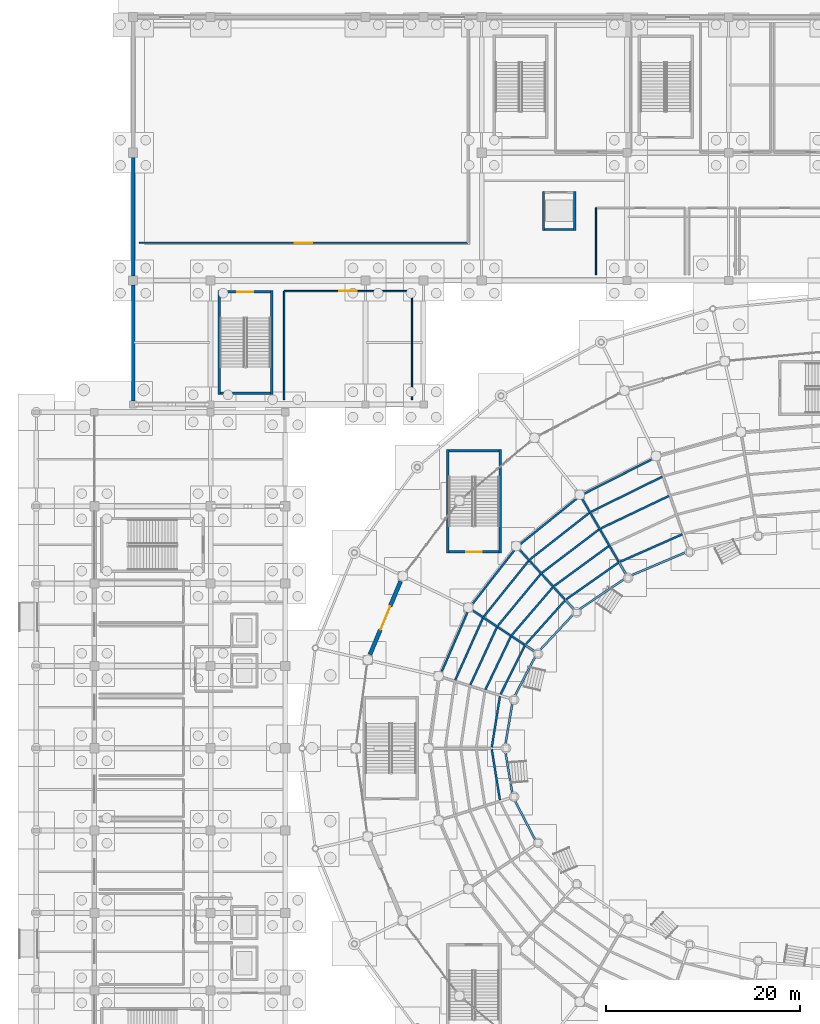
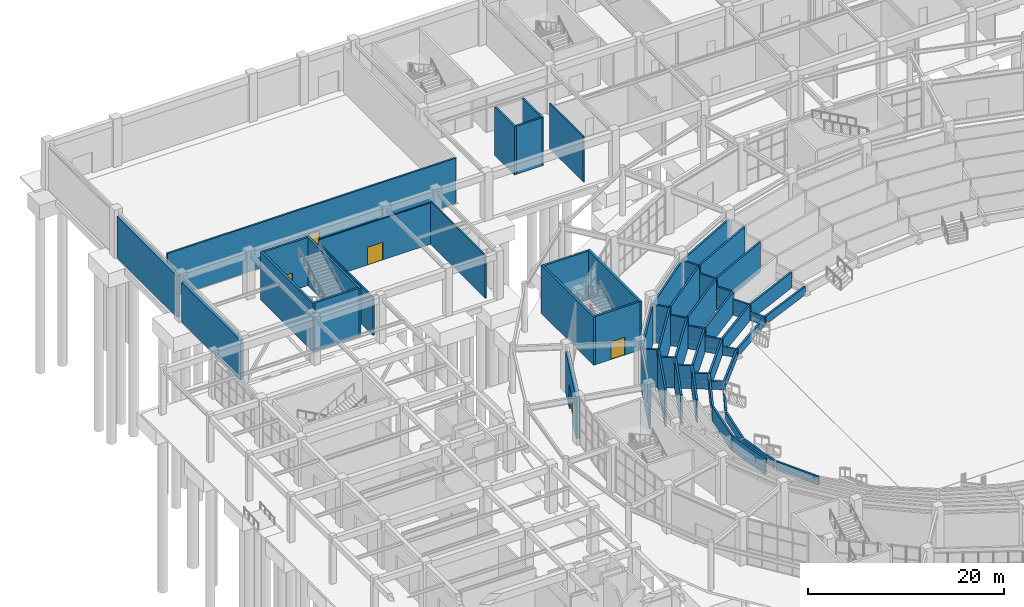
# One storey, part 87 of 121: 50 walls, 5 doors, 5 openings.
"""IFC4 building model written with IfcOpenShell, lengths in metres."""

from ifc_helpers import new_model, si_unit, direction, frame, frame_2d, origin, place, context, subcontext, project, spatial, polyline, rectangle, outline, extrude, material, layer, layer_set, type_object, element, fill, save


model = new_model("IFC4")

# Units and contexts
model_context = context("Model", 3, precision=1e-05, world=origin(), true_north=direction((0.0, 1.0)))
body_context = subcontext(model_context, "Body", "Model", "MODEL_VIEW")
ifc_project = project(units=[si_unit("LENGTHUNIT", "METRE"), si_unit("AREAUNIT", "SQUARE_METRE"), si_unit("VOLUMEUNIT", "CUBIC_METRE"), si_unit("PLANEANGLEUNIT", "RADIAN"), si_unit("MASSUNIT", "GRAM", prefix="KILO")], contexts=[model_context])

# Site, building, storey
site_placement = place(None, origin())
site = spatial("IfcSite", under=ifc_project, at=site_placement, CompositionType="ELEMENT")
building_placement = place(site_placement, origin())
building = spatial("IfcBuilding", under=site, at=building_placement, Name="Cuetzalor Civic Arena", CompositionType="ELEMENT")
storey_placement = place(building_placement, origin())
storey = spatial("IfcBuildingStorey", under=building, at=storey_placement, Name="L00", CompositionType="ELEMENT", Elevation=0.0)

# Wall, opening, door
ifc_material_1 = material(Name="Acoustic steel-stud gypsum partition", Category="steel")
ifc_layer_1 = layer(ifc_material_1, 0.14990234375)
ifc_layer_set_1 = layer_set([ifc_layer_1], Name="Acoustic steel-stud gypsum partition")
wall_type_1 = type_object("IfcWallType", Name="AcousticGypsumPartition_150", PredefinedType="PARTITIONING", material=ifc_layer_set_1)
wall_1_placement = place(storey_placement, frame((-56.39990234375, 47.199951171875, 0.0), z_axis=(0.0, 0.0, 1.0), x_axis=(1.0, 0.0, 0.0)))
wall_1 = element("IfcWall", 1, at=wall_1_placement, inside=storey, type_object=wall_type_1, Name="Interior Partition IWALL:L00:0131", PredefinedType="PARTITIONING", context=body_context, shape_type="SweptSolid", body=[
    extrude(rectangle(XDim=13.199951171875, YDim=0.14990234375, at=frame_2d((6.60009765625, 0.0))), origin(), (0.0, 0.0, 1.0), 5.14208984375),
])
opening_1_placement = place(wall_1_placement, frame((5.699951171875, 0.0, 0.0)))
opening_1 = element("IfcOpeningElement", 2, at=opening_1_placement, cuts=wall_1, Name="Opening ID-06", PredefinedType="OPENING", context=body_context, shape_type="SweptSolid", body=[
    extrude(rectangle(XDim=1.800048828125, YDim=2.199951171875, at=frame_2d((0.89990234375, 1.10009765625))), frame((0.0, 0.0849609375, 0.0), z_axis=(0.0, -1.0, 0.0), x_axis=(1.0, 0.0, 0.0)), (0.0, 0.0, 1.0), 0.169921875),
])
ifc_material_2 = material(Name="Glazed bronze acoustic double door", Category="metal")
door_type_1 = type_object("IfcDoorType", Name="PublicDoubleDoor_1800x2200", OperationType="DOUBLE_DOOR_SINGLE_SWING", PredefinedType="DOOR", material=ifc_material_2)
door_1_placement = place(opening_1_placement, origin())
door_1 = element("IfcDoor", 3, at=door_1_placement, inside=storey, type_object=door_type_1, Name="Door to Warm-Up Conditioning Hall", OperationType="DOUBLE_DOOR_SINGLE_SWING", OverallHeight=2.199951171875, OverallWidth=1.800048828125, PredefinedType="DOOR", context=body_context, shape_type="SweptSolid", body=[
    extrude(rectangle(XDim=1.800048828125, YDim=2.199951171875, at=frame_2d((0.89990234375, 1.10009765625))), frame((0.0, 0.02490234375, 0.0), z_axis=(0.0, -1.0, 0.0), x_axis=(1.0, 0.0, 0.0)), (0.0, 0.0, 1.0), 0.050048828125),
])
fill(opening_1, door_1)

# Walls
wall_2_placement = place(storey_placement, frame((-43.199951171875, 47.199951171875, 0.0), z_axis=(0.0, 0.0, 1.0), x_axis=(0.0, -1.0, 0.0)))
element("IfcWall", 4, at=wall_2_placement, inside=storey, type_object=wall_type_1, Name="Interior Partition IWALL:L00:0132", PredefinedType="PARTITIONING", context=body_context, shape_type="SweptSolid", body=[
    extrude(rectangle(XDim=11.199951171875, YDim=0.14990234375, at=frame_2d((5.60009765625, 0.0))), origin(), (0.0, 0.0, 1.0), 5.320068359375),
])
wall_3_placement = place(storey_placement, frame((-56.39990234375, 36.0, 0.0), z_axis=(0.0, 0.0, 1.0), x_axis=(0.0, 1.0, 0.0)))
element("IfcWall", 5, at=wall_3_placement, inside=storey, type_object=wall_type_1, Name="Interior Partition IWALL:L00:0133", PredefinedType="PARTITIONING", context=body_context, shape_type="SweptSolid", body=[
    extrude(rectangle(XDim=11.199951171875, YDim=0.14990234375, at=frame_2d((5.60009765625, 0.0))), origin(), (0.0, 0.0, 1.0), 4.72509765625),
])
wall_4_placement = place(storey_placement, frame((-24.199951171875, 48.89990234375, 0.0), z_axis=(0.0, 0.0, 1.0), x_axis=(0.0, 1.0, 0.0)))
element("IfcWall", 6, at=wall_4_placement, inside=storey, type_object=wall_type_1, Name="Interior Partition IWALL:L00:0154", PredefinedType="PARTITIONING", context=body_context, shape_type="SweptSolid", body=[
    extrude(rectangle(XDim=6.900146484375, YDim=0.14990234375, at=frame_2d((3.4501953125, 0.0))), origin(), (0.0, 0.0, 1.0), 5.639892578125),
])
ifc_material_3 = material(Name="Dark volcanic basalt ashlar on Concrete C35/45", Category="masonry")
ifc_layer_2 = layer(ifc_material_3, 0.35009765625)
ifc_layer_set_2 = layer_set([ifc_layer_2], Name="Dark volcanic basalt ashlar on Concrete C35/45")
wall_type_2 = type_object("IfcWallType", Name="BasaltAshlarWall_350", PredefinedType="SOLIDWALL", material=ifc_layer_set_2)
wall_5_placement = place(storey_placement, frame((-72.0, 35.85693359375, 0.0), z_axis=(0.0, 0.0, 1.0), x_axis=(0.0, 1.0, 0.0)))
element("IfcWall", 7, at=wall_5_placement, inside=storey, type_object=wall_type_2, Name="North Wing West Basalt Wall L00-233", PredefinedType="SOLIDWALL", context=body_context, shape_type="SweptSolid", body=[
    extrude(rectangle(XDim=11.986083984375, YDim=0.35009765625, at=frame_2d((5.9931640625, 0.0))), origin(), (0.0, 0.0, 1.0), 4.93994140625),
])
wall_6_placement = place(storey_placement, frame((-72.0, 48.757080078125, 0.0), z_axis=(0.0, 0.0, 1.0), x_axis=(0.0, 1.0, 0.0)))
element("IfcWall", 8, at=wall_6_placement, inside=storey, type_object=wall_type_2, Name="North Wing West Basalt Wall L00-235", PredefinedType="SOLIDWALL", context=body_context, shape_type="SweptSolid", body=[
    extrude(rectangle(XDim=12.285888671875, YDim=0.35009765625, at=frame_2d((6.14306640625, 0.0))), origin(), (0.0, 0.0, 1.0), 5.156982421875),
])

# Wall, opening, door
ifc_material_4 = material(Name="Puebla cantera gris stone on Concrete C35/45", Category="masonry")
ifc_layer_3 = layer(ifc_material_4, 0.419921875)
ifc_layer_set_3 = layer_set([ifc_layer_3], Name="Puebla cantera gris stone on Concrete C35/45")
wall_type_3 = type_object("IfcWallType", Name="CanteraStoneArcadeWall_420", PredefinedType="SOLIDWALL", material=ifc_layer_set_3)
wall_7_placement = place(storey_placement, frame((-47.538818359375, 9.68017578125, 0.0), z_axis=(0.0, 0.0, 1.0), x_axis=(0.385830591871, 0.92256964744, 0.0)))
wall_7 = element("IfcWall", 9, at=wall_7_placement, inside=storey, type_object=wall_type_3, Name="Drum Ground Colonnade Portal Wall L00-004", PredefinedType="SOLIDWALL", context=body_context, shape_type="SweptSolid", body=[
    extrude(rectangle(XDim=8.18603515625, YDim=0.419921875, at=frame_2d((4.093017578125, 0.0))), origin(), (0.0, 0.0, 1.0), 5.156982421875),
])
opening_2_placement = place(wall_7_placement, frame((2.79296875, 0.0, 0.0)))
opening_2 = element("IfcOpeningElement", 10, at=opening_2_placement, cuts=wall_7, Name="Opening ED-02", PredefinedType="OPENING", context=body_context, shape_type="SweptSolid", body=[
    extrude(rectangle(XDim=2.60009765625, YDim=3.0, at=frame_2d((1.300048828125, 1.5))), frame((0.0, 0.219970703125, 0.0), z_axis=(0.0, -1.0, 0.0), x_axis=(1.0, 0.0, 0.0)), (0.0, 0.0, 1.0), 0.43994140625),
])
ifc_material_5 = material(Name="Thermally broken bronze steel and laminated glass", Category="steel")
door_type_2 = type_object("IfcDoorType", Name="MainColonnadeEntrance_2600x3000", OperationType="DOUBLE_DOOR_SINGLE_SWING", PredefinedType="DOOR", material=ifc_material_5)
door_2_placement = place(opening_2_placement, origin())
door_2 = element("IfcDoor", 11, at=door_2_placement, inside=storey, type_object=door_type_2, Name="Pedestrian exit gate G04", OperationType="DOUBLE_DOOR_SINGLE_SWING", OverallHeight=3.0, OverallWidth=2.60009765625, PredefinedType="DOOR", context=body_context, shape_type="SweptSolid", body=[
    extrude(rectangle(XDim=2.60009765625, YDim=3.0, at=frame_2d((1.300048828125, 1.5))), frame((0.0, 0.02490234375, 0.0), z_axis=(0.0, -1.0, 0.0), x_axis=(1.0, 0.0, 0.0)), (0.0, 0.0, 1.0), 0.050048828125),
])
fill(opening_2, door_2)

# Walls
ifc_material_6 = material(Name="Concrete C40/50", Category="concrete")
ifc_layer_4 = layer(ifc_material_6, 0.25)
ifc_layer_set_4 = layer_set([ifc_layer_4], Name="Concrete C40/50")
wall_type_4 = type_object("IfcWallType", Name="ConcreteCoreShearWall_250", PredefinedType="SHEAR", material=ifc_layer_set_4)
wall_8_placement = place(storey_placement, frame((-39.52490234375, 20.14990234375, 0.0), z_axis=(0.0, 0.0, 1.0), x_axis=(0.0, 1.0, 0.0)))
element("IfcWall", 12, at=wall_8_placement, inside=storey, type_object=wall_type_4, Name="Stair Core Shear Wall ST-04-L00-W", PredefinedType="SHEAR", context=body_context, shape_type="SweptSolid", body=[
    extrude(rectangle(XDim=10.7001953125, YDim=0.25, at=frame_2d((5.35009765625, 0.0))), origin(), (0.0, 0.0, 1.0), 6.0),
])
wall_9_placement = place(storey_placement, frame((-39.39990234375, 30.72509765625, 0.0), z_axis=(0.0, 0.0, 1.0), x_axis=(1.0, 0.0, 0.0)))
element("IfcWall", 13, at=wall_9_placement, inside=storey, type_object=wall_type_4, Name="Stair Core Shear Wall ST-04-L00-N", PredefinedType="SHEAR", context=body_context, shape_type="SweptSolid", body=[
    extrude(rectangle(XDim=5.199951171875, YDim=0.25, at=frame_2d((2.60009765625, 0.0))), origin(), (0.0, 0.0, 1.0), 6.0),
])
wall_10_placement = place(storey_placement, frame((-34.074951171875, 30.85009765625, 0.0), z_axis=(0.0, 0.0, 1.0), x_axis=(0.0, -1.0, 0.0)))
element("IfcWall", 14, at=wall_10_placement, inside=storey, type_object=wall_type_4, Name="Stair Core Shear Wall ST-04-L00-E", PredefinedType="SHEAR", context=body_context, shape_type="SweptSolid", body=[
    extrude(rectangle(XDim=10.7001953125, YDim=0.25, at=frame_2d((5.35009765625, 0.0))), origin(), (0.0, 0.0, 1.0), 6.0),
])

# Wall, opening, door
wall_11_placement = place(storey_placement, frame((-34.199951171875, 20.27490234375, 0.0), z_axis=(0.0, 0.0, 1.0), x_axis=(-1.0, 0.0, 0.0)))
wall_11 = element("IfcWall", 15, at=wall_11_placement, inside=storey, type_object=wall_type_4, Name="Stair Core Shear Wall ST-04-L00-S", PredefinedType="SHEAR", context=body_context, shape_type="SweptSolid", body=[
    extrude(rectangle(XDim=5.199951171875, YDim=0.25, at=frame_2d((2.60009765625, 0.0))), origin(), (0.0, 0.0, 1.0), 6.0),
])
opening_3_placement = place(wall_11_placement, frame((1.77490234375, 0.0, 0.0)))
opening_3 = element("IfcOpeningElement", 16, at=opening_3_placement, cuts=wall_11, Name="Opening FD-04", PredefinedType="OPENING", context=body_context, shape_type="SweptSolid", body=[
    extrude(rectangle(XDim=1.64990234375, YDim=2.199951171875, at=frame_2d((0.824951171875, 1.10009765625))), frame((0.0, 0.135009765625, 0.0), z_axis=(0.0, -1.0, 0.0), x_axis=(1.0, 0.0, 0.0)), (0.0, 0.0, 1.0), 0.27001953125),
])
ifc_material_7 = material(Name="Fire-rated steel stair exit double door", Category="steel")
door_type_3 = type_object("IfcDoorType", Name="StairFireDoubleDoor_1650x2200", OperationType="DOUBLE_DOOR_SINGLE_SWING", PredefinedType="DOOR", material=ifc_material_7)
door_3_placement = place(opening_3_placement, origin())
door_3 = element("IfcDoor", 17, at=door_3_placement, inside=storey, type_object=door_type_3, Name="Fire Stair Door ST-04 L00", OperationType="DOUBLE_DOOR_SINGLE_SWING", OverallHeight=2.199951171875, OverallWidth=1.64990234375, PredefinedType="DOOR", context=body_context, shape_type="SweptSolid", body=[
    extrude(rectangle(XDim=1.64990234375, YDim=2.199951171875, at=frame_2d((0.824951171875, 1.10009765625))), frame((0.0, 0.02490234375, 0.0), z_axis=(0.0, -1.0, 0.0), x_axis=(1.0, 0.0, 0.0)), (0.0, 0.0, 1.0), 0.050048828125),
])
fill(opening_3, door_3)

# Wall
wall_12_placement = place(storey_placement, frame((-63.125, 36.550048828125, 0.0), z_axis=(0.0, 0.0, 1.0), x_axis=(0.0, 1.0, 0.0)))
element("IfcWall", 18, at=wall_12_placement, inside=storey, type_object=wall_type_4, Name="Stair Core Shear Wall ST-23-L00-W", PredefinedType="SHEAR", context=body_context, shape_type="SweptSolid", body=[
    extrude(rectangle(XDim=10.699951171875, YDim=0.25, at=frame_2d((5.35009765625, 0.0))), origin(), (0.0, 0.0, 1.0), 6.0),
])

# Wall, opening, door
wall_13_placement = place(storey_placement, frame((-63.0, 47.125, 0.0), z_axis=(0.0, 0.0, 1.0), x_axis=(1.0, 0.0, 0.0)))
wall_13 = element("IfcWall", 19, at=wall_13_placement, inside=storey, type_object=wall_type_4, Name="Stair Core Shear Wall ST-23-L00-N", PredefinedType="SHEAR", context=body_context, shape_type="SweptSolid", body=[
    extrude(rectangle(XDim=5.199951171875, YDim=0.25, at=frame_2d((2.60009765625, 0.0))), origin(), (0.0, 0.0, 1.0), 6.0),
])
opening_4_placement = place(wall_13_placement, frame((1.77490234375, 0.0, 0.0)))
opening_4 = element("IfcOpeningElement", 20, at=opening_4_placement, cuts=wall_13, Name="Opening FD-04", PredefinedType="OPENING", context=body_context, shape_type="SweptSolid", body=[
    extrude(rectangle(XDim=1.64990234375, YDim=2.199951171875, at=frame_2d((0.824951171875, 1.10009765625))), frame((0.0, 0.135009765625, 0.0), z_axis=(0.0, -1.0, 0.0), x_axis=(1.0, 0.0, 0.0)), (0.0, 0.0, 1.0), 0.27001953125),
])
door_4_placement = place(opening_4_placement, origin())
door_4 = element("IfcDoor", 21, at=door_4_placement, inside=storey, type_object=door_type_3, Name="Fire Stair Door ST-23 L00", OperationType="DOUBLE_DOOR_SINGLE_SWING", OverallHeight=2.199951171875, OverallWidth=1.64990234375, PredefinedType="DOOR", context=body_context, shape_type="SweptSolid", body=[
    extrude(rectangle(XDim=1.64990234375, YDim=2.199951171875, at=frame_2d((0.824951171875, 1.10009765625))), frame((0.0, 0.02490234375, 0.0), z_axis=(0.0, -1.0, 0.0), x_axis=(1.0, 0.0, 0.0)), (0.0, 0.0, 1.0), 0.050048828125),
])
fill(opening_4, door_4)

# Walls
wall_14_placement = place(storey_placement, frame((-57.675048828125, 47.25, 0.0), z_axis=(0.0, 0.0, 1.0), x_axis=(0.0, -1.0, 0.0)))
element("IfcWall", 22, at=wall_14_placement, inside=storey, type_object=wall_type_4, Name="Stair Core Shear Wall ST-23-L00-E", PredefinedType="SHEAR", context=body_context, shape_type="SweptSolid", body=[
    extrude(rectangle(XDim=10.699951171875, YDim=0.25, at=frame_2d((5.35009765625, 0.0))), origin(), (0.0, 0.0, 1.0), 6.0),
])
wall_15_placement = place(storey_placement, frame((-57.800048828125, 36.675048828125, 0.0), z_axis=(0.0, 0.0, 1.0), x_axis=(-1.0, 0.0, 0.0)))
element("IfcWall", 23, at=wall_15_placement, inside=storey, type_object=wall_type_4, Name="Stair Core Shear Wall ST-23-L00-S", PredefinedType="SHEAR", context=body_context, shape_type="SweptSolid", body=[
    extrude(rectangle(XDim=5.199951171875, YDim=0.25, at=frame_2d((2.60009765625, 0.0))), origin(), (0.0, 0.0, 1.0), 6.0),
])

# Wall, opening, door
ifc_material_8 = material(Name="Fire-rated masonry and gypsum partition", Category="masonry")
ifc_layer_5 = layer(ifc_material_8, 0.199951171875)
ifc_layer_set_5 = layer_set([ifc_layer_5], Name="Fire-rated masonry and gypsum partition")
wall_type_5 = type_object("IfcWallType", Name="FireCompartmentWall_200", PredefinedType="PARTITIONING", material=ifc_layer_set_5)
wall_16_placement = place(storey_placement, frame((-37.39990234375, 52.199951171875, 0.0), z_axis=(0.0, 0.0, 1.0), x_axis=(-1.0, 0.0, 0.0)))
wall_16 = element("IfcWall", 24, at=wall_16_placement, inside=storey, type_object=wall_type_5, Name="Interior Partition IWALL:L00:0129", PredefinedType="PARTITIONING", context=body_context, shape_type="SweptSolid", body=[
    extrude(rectangle(XDim=34.0, YDim=0.199951171875, at=frame_2d((17.0, 0.0))), origin(), (0.0, 0.0, 1.0), 5.639892578125),
])
opening_5_placement = place(wall_16_placement, frame((16.10009765625, 0.0, 0.0)))
opening_5 = element("IfcOpeningElement", 25, at=opening_5_placement, cuts=wall_16, Name="Opening ID-06", PredefinedType="OPENING", context=body_context, shape_type="SweptSolid", body=[
    extrude(rectangle(XDim=1.800048828125, YDim=2.199951171875, at=frame_2d((0.89990234375, 1.10009765625))), frame((0.0, 0.10986328125, 0.0), z_axis=(0.0, -1.0, 0.0), x_axis=(1.0, 0.0, 0.0)), (0.0, 0.0, 1.0), 0.219970703125),
])
door_5_placement = place(opening_5_placement, origin())
door_5 = element("IfcDoor", 26, at=door_5_placement, inside=storey, type_object=door_type_1, Name="Door to Practice Court", OperationType="DOUBLE_DOOR_SINGLE_SWING", OverallHeight=2.199951171875, OverallWidth=1.800048828125, PredefinedType="DOOR", context=body_context, shape_type="SweptSolid", body=[
    extrude(rectangle(XDim=1.800048828125, YDim=2.199951171875, at=frame_2d((0.89990234375, 1.10009765625))), frame((0.0, 0.02490234375, 0.0), z_axis=(0.0, -1.0, 0.0), x_axis=(1.0, 0.0, 0.0)), (0.0, 0.0, 1.0), 0.050048828125),
])
fill(opening_5, door_5)

# Walls
ifc_material_9 = material(Name="Concrete C40/50", Category="concrete")
ifc_layer_6 = layer(ifc_material_9, 0.219970703125)
ifc_layer_set_6 = layer_set([ifc_layer_6], Name="Concrete C40/50")
wall_type_6 = type_object("IfcWallType", Name="LiftShaftShearWall_220", PredefinedType="SHEAR", material=ifc_layer_set_6)
for number, where, z_axis, x_axis, name in (
    (27, (-29.610107421875, 53.47998046875, 0.0), (0.0, 0.0, 1.0), (0.0, 1.0, 0.0), "Lift Shaft Wall LS-01-L00-W"),
    (28, (-26.389892578125, 57.52001953125, 0.0), (0.0, 0.0, 1.0), (0.0, -1.0, 0.0), "Lift Shaft Wall LS-01-L00-E"),
):
    element("IfcWall", number, at=place(storey_placement, frame(where, z_axis=z_axis, x_axis=x_axis)), inside=storey, type_object=wall_type_6, Name=name, PredefinedType="SHEAR", context=body_context, shape_type="SweptSolid", body=[
        extrude(rectangle(XDim=4.0400390625, YDim=0.219970703125, at=frame_2d((2.02001953125, 0.0))), origin(), (0.0, 0.0, 1.0), 6.0),
    ])
wall_17_placement = place(storey_placement, frame((-26.5, 53.590087890625, 0.0), z_axis=(0.0, 0.0, 1.0), x_axis=(-1.0, 0.0, 0.0)))
element("IfcWall", 29, at=wall_17_placement, inside=storey, type_object=wall_type_6, Name="Lift Shaft Wall LS-01-L00-S", PredefinedType="SHEAR", context=body_context, shape_type="SweptSolid", body=[
    extrude(rectangle(XDim=3.0, YDim=0.219970703125, at=frame_2d((1.5, 0.0))), origin(), (0.0, 0.0, 1.0), 6.0),
])
ifc_material_10 = material(Name="Precast concrete C40/50", Category="concrete")
ifc_layer_7 = layer(ifc_material_10, 0.2099609375)
ifc_layer_set_7 = layer_set([ifc_layer_7], Name="Precast concrete C40/50")
wall_type_7 = type_object("IfcWallType", Name="PrecastBowlRiserWall_210", PredefinedType="SHEAR", material=ifc_layer_set_7)
wall_18_placement = place(storey_placement, frame((-14.686767578125, 20.337890625, 0.0), z_axis=(0.0, 0.0, 1.0), x_axis=(-0.921068235508, -0.389401214095, 0.0)))
element("IfcWall", 30, at=wall_18_placement, inside=storey, type_object=wall_type_7, Name="Lower Bowl Riser Support Wall S10-R0", PredefinedType="SHEAR", context=body_context, shape_type="SweptSolid", body=[
    extrude(rectangle(XDim=6.704833984375, YDim=0.2099609375, at=frame_2d((3.3525390625, 0.0))), origin(), (0.0, 0.0, 1.0), 1.02001953125),
])
wall_19_placement = place(storey_placement, frame((-15.276123046875, 22.102294921875, 0.0), z_axis=(0.0, 0.0, 1.0), x_axis=(-0.914790712521, -0.403928152381, 0.0)))
element("IfcWall", 31, at=wall_19_placement, inside=storey, type_object=wall_type_7, Name="Lower Bowl Riser Support Wall S10-R1", PredefinedType="SHEAR", context=body_context, shape_type="SweptSolid", body=[
    extrude(rectangle(XDim=7.0341796875, YDim=0.2099609375, at=frame_2d((3.51708984375, 0.0))), origin(), (0.0, 0.0, 1.0), 1.93994140625),
])
wall_20_placement = place(storey_placement, frame((-16.6630859375, 26.063720703125, 0.0), z_axis=(0.0, 0.0, 1.0), x_axis=(-0.902599567241, -0.430481150827, 0.0)))
element("IfcWall", 32, at=wall_20_placement, inside=storey, type_object=wall_type_7, Name="Lower Bowl Riser Support Wall S10-R3", PredefinedType="SHEAR", context=body_context, shape_type="SweptSolid", body=[
    extrude(rectangle(XDim=7.804443359375, YDim=0.2099609375, at=frame_2d((3.90234375, 0.0))), origin(), (0.0, 0.0, 1.0), 3.780029296875),
])
wall_21_placement = place(storey_placement, frame((-17.356689453125, 28.04443359375, 0.0), z_axis=(0.0, 0.0, 1.0), x_axis=(-0.897111072501, -0.441805074209, 0.0)))
element("IfcWall", 33, at=wall_21_placement, inside=storey, type_object=wall_type_7, Name="Lower Bowl Riser Support Wall S10-R4", PredefinedType="SHEAR", context=body_context, shape_type="SweptSolid", body=[
    extrude(rectangle(XDim=8.191650390625, YDim=0.2099609375, at=frame_2d((4.095703125, 0.0))), origin(), (0.0, 0.0, 1.0), 4.699951171875),
])
wall_22_placement = place(storey_placement, frame((-18.05029296875, 30.025390625, 0.0), z_axis=(0.0, 0.0, 1.0), x_axis=(-0.891966782811, -0.452100938244, 0.0)))
element("IfcWall", 34, at=wall_22_placement, inside=storey, type_object=wall_type_7, Name="Lower Bowl Riser Support Wall S10-R5", PredefinedType="SHEAR", context=body_context, shape_type="SweptSolid", body=[
    extrude(rectangle(XDim=8.580322265625, YDim=0.2099609375, at=frame_2d((4.2900390625, 0.0))), origin(), (0.0, 0.0, 1.0), 4.699951171875),
])
wall_23_placement = place(storey_placement, frame((-20.886962890625, 17.59130859375, 0.0), z_axis=(0.0, 0.0, 1.0), x_axis=(-0.501698244165, 0.86504269941, 0.0)))
element("IfcWall", 35, at=wall_23_placement, inside=storey, type_object=wall_type_7, Name="Lower Bowl Radial Carrier Wall S11", PredefinedType="SHEAR", context=body_context, shape_type="SweptSolid", body=[
    extrude(outline(polyline([(0.0, 0.0), (9.94189453125, 0.0), (9.94189453125, 4.699951171875), (7.963623046875, 4.699951171875), (7.95361328125, 3.780029296875), (5.97509765625, 3.780029296875), (5.965087890625, 2.860107421875), (3.98681640625, 2.860107421875), (3.976806640625, 1.93994140625), (1.998291015625, 1.93994140625), (1.98828125, 1.02001953125), (0.0, 1.02001953125), (0.0, 0.0)])), frame((0.0, 0.10498046875, 0.0), z_axis=(0.0, -1.0, 0.0), x_axis=(1.0, 0.0, 0.0)), (0.0, 0.0, 1.0), 0.2099609375),
])
wall_24_placement = place(storey_placement, frame((-21.05126953125, 17.624755859375, 0.0), z_axis=(0.0, 0.0, 1.0), x_axis=(-0.829686299327, -0.558229921008, 0.0)))
element("IfcWall", 36, at=wall_24_placement, inside=storey, type_object=wall_type_7, Name="Lower Bowl Riser Support Wall S11-R0", PredefinedType="SHEAR", context=body_context, shape_type="SweptSolid", body=[
    extrude(rectangle(XDim=6.2001953125, YDim=0.2099609375, at=frame_2d((3.10009765625, 0.0))), origin(), (0.0, 0.0, 1.0), 1.02001953125),
])
wall_25_placement = place(storey_placement, frame((-21.898193359375, 19.1552734375, 0.0), z_axis=(0.0, 0.0, 1.0), x_axis=(-0.818187433955, -0.574951583108, 0.0)))
element("IfcWall", 37, at=wall_25_placement, inside=storey, type_object=wall_type_7, Name="Lower Bowl Riser Support Wall S11-R1", PredefinedType="SHEAR", context=body_context, shape_type="SweptSolid", body=[
    extrude(rectangle(XDim=6.55322265625, YDim=0.2099609375, at=frame_2d((3.276611328125, 0.0))), origin(), (0.0, 0.0, 1.0), 1.93994140625),
])
wall_26_placement = place(storey_placement, frame((-22.894287109375, 20.87353515625, 0.0), z_axis=(0.0, 0.0, 1.0), x_axis=(-0.806901917216, -0.590685445896, 0.0)))
element("IfcWall", 38, at=wall_26_placement, inside=storey, type_object=wall_type_7, Name="Lower Bowl Riser Support Wall S11-R2", PredefinedType="SHEAR", context=body_context, shape_type="SweptSolid", body=[
    extrude(rectangle(XDim=6.96240234375, YDim=0.2099609375, at=frame_2d((3.481201171875, 0.0))), origin(), (0.0, 0.0, 1.0), 2.860107421875),
])
wall_27_placement = place(storey_placement, frame((-23.890869140625, 22.59228515625, 0.0), z_axis=(0.0, 0.0, 1.0), x_axis=(-0.796530171692, -0.604598780667, 0.0)))
element("IfcWall", 39, at=wall_27_placement, inside=storey, type_object=wall_type_7, Name="Lower Bowl Riser Support Wall S11-R3", PredefinedType="SHEAR", context=body_context, shape_type="SweptSolid", body=[
    extrude(rectangle(XDim=7.3740234375, YDim=0.2099609375, at=frame_2d((3.68701171875, 0.0))), origin(), (0.0, 0.0, 1.0), 3.780029296875),
])
wall_28_placement = place(storey_placement, frame((-24.887451171875, 24.310791015625, 0.0), z_axis=(0.0, 0.0, 1.0), x_axis=(-0.787057560767, -0.616879563642, 0.0)))
element("IfcWall", 40, at=wall_28_placement, inside=storey, type_object=wall_type_7, Name="Lower Bowl Riser Support Wall S11-R4", PredefinedType="SHEAR", context=body_context, shape_type="SweptSolid", body=[
    extrude(rectangle(XDim=7.787109375, YDim=0.2099609375, at=frame_2d((3.8935546875, 0.0))), origin(), (0.0, 0.0, 1.0), 4.699951171875),
])
wall_29_placement = place(storey_placement, frame((-25.884033203125, 26.02978515625, 0.0), z_axis=(0.0, 0.0, 1.0), x_axis=(-0.778324356103, -0.627862402678, 0.0)))
element("IfcWall", 41, at=wall_29_placement, inside=storey, type_object=wall_type_7, Name="Lower Bowl Riser Support Wall S11-R5", PredefinedType="SHEAR", context=body_context, shape_type="SweptSolid", body=[
    extrude(rectangle(XDim=8.202392578125, YDim=0.2099609375, at=frame_2d((4.10107421875, 0.0))), origin(), (0.0, 0.0, 1.0), 4.699951171875),
])
wall_30_placement = place(storey_placement, frame((-26.19140625, 14.028564453125, 0.0), z_axis=(0.0, 0.0, 1.0), x_axis=(-0.67383580406, 0.73888111978, 0.0)))
element("IfcWall", 42, at=wall_30_placement, inside=storey, type_object=wall_type_7, Name="Lower Bowl Radial Carrier Wall S12", PredefinedType="SHEAR", context=body_context, shape_type="SweptSolid", body=[
    extrude(outline(polyline([(0.0, 0.0), (9.2822265625, 0.0), (9.281982421875, 4.699951171875), (7.435791015625, 4.699951171875), (7.42578125, 3.780029296875), (5.579345703125, 3.780029296875), (5.5693359375, 2.860107421875), (3.722900390625, 2.860107421875), (3.712890625, 1.93994140625), (1.866455078125, 1.93994140625), (1.8564453125, 1.02001953125), (0.0, 1.02001953125), (0.0, 0.0)])), frame((0.0, 0.10498046875, 0.0), z_axis=(0.0, -1.0, 0.0), x_axis=(1.0, 0.0, 0.0)), (0.0, 0.0, 1.0), 0.2099609375),
])
wall_31_placement = place(storey_placement, frame((-26.35888671875, 14.0244140625, 0.0), z_axis=(0.0, 0.0, 1.0), x_axis=(-0.682527516109, -0.730859897486, 0.0)))
element("IfcWall", 43, at=wall_31_placement, inside=storey, type_object=wall_type_7, Name="Lower Bowl Riser Support Wall S12-R0", PredefinedType="SHEAR", context=body_context, shape_type="SweptSolid", body=[
    extrude(rectangle(XDim=5.65234375, YDim=0.2099609375, at=frame_2d((2.826171875, 0.0))), origin(), (0.0, 0.0, 1.0), 1.02001953125),
])
wall_32_placement = place(storey_placement, frame((-27.42041015625, 15.244873046875, 0.0), z_axis=(0.0, 0.0, 1.0), x_axis=(-0.666570191538, -0.745442271241, 0.0)))
element("IfcWall", 44, at=wall_32_placement, inside=storey, type_object=wall_type_7, Name="Lower Bowl Riser Support Wall S12-R1", PredefinedType="SHEAR", context=body_context, shape_type="SweptSolid", body=[
    extrude(rectangle(XDim=6.0361328125, YDim=0.2099609375, at=frame_2d((3.01806640625, 0.0))), origin(), (0.0, 0.0, 1.0), 1.93994140625),
])
wall_33_placement = place(storey_placement, frame((-28.669677734375, 16.614990234375, 0.0), z_axis=(0.0, 0.0, 1.0), x_axis=(-0.651315952363, -0.758806648756, 0.0)))
element("IfcWall", 45, at=wall_33_placement, inside=storey, type_object=wall_type_7, Name="Lower Bowl Riser Support Wall S12-R2", PredefinedType="SHEAR", context=body_context, shape_type="SweptSolid", body=[
    extrude(rectangle(XDim=6.475341796875, YDim=0.2099609375, at=frame_2d((3.23779296875, 0.0))), origin(), (0.0, 0.0, 1.0), 2.860107421875),
])
wall_34_placement = place(storey_placement, frame((-29.919189453125, 17.985595703125, 0.0), z_axis=(0.0, 0.0, 1.0), x_axis=(-0.637671002235, -0.770308829567, 0.0)))
element("IfcWall", 46, at=wall_34_placement, inside=storey, type_object=wall_type_7, Name="Lower Bowl Riser Support Wall S12-R3", PredefinedType="SHEAR", context=body_context, shape_type="SweptSolid", body=[
    extrude(rectangle(XDim=6.917236328125, YDim=0.2099609375, at=frame_2d((3.45849609375, 0.0))), origin(), (0.0, 0.0, 1.0), 3.780029296875),
])
wall_35_placement = place(storey_placement, frame((-31.1689453125, 19.356201171875, 0.0), z_axis=(0.0, 0.0, 1.0), x_axis=(-0.625463248633, -0.780253628386, 0.0)))
element("IfcWall", 47, at=wall_35_placement, inside=storey, type_object=wall_type_7, Name="Lower Bowl Riser Support Wall S12-R4", PredefinedType="SHEAR", context=body_context, shape_type="SweptSolid", body=[
    extrude(rectangle(XDim=7.36083984375, YDim=0.2099609375, at=frame_2d((3.680419921875, 0.0))), origin(), (0.0, 0.0, 1.0), 4.699951171875),
])
wall_36_placement = place(storey_placement, frame((-32.418701171875, 20.726806640625, 0.0), z_axis=(0.0, 0.0, 1.0), x_axis=(-0.614501224006, -0.788915867311, 0.0)))
element("IfcWall", 48, at=wall_36_placement, inside=storey, type_object=wall_type_7, Name="Lower Bowl Riser Support Wall S12-R5", PredefinedType="SHEAR", context=body_context, shape_type="SweptSolid", body=[
    extrude(rectangle(XDim=7.806640625, YDim=0.2099609375, at=frame_2d((3.9033203125, 0.0))), origin(), (0.0, 0.0, 1.0), 4.699951171875),
])
wall_37_placement = place(storey_placement, frame((-30.1826171875, 9.762451171875, 0.0), z_axis=(0.0, 0.0, 1.0), x_axis=(-0.833771228261, 0.552110078629, 0.0)))
element("IfcWall", 49, at=wall_37_placement, inside=storey, type_object=wall_type_7, Name="Lower Bowl Radial Carrier Wall S13", PredefinedType="SHEAR", context=body_context, shape_type="SweptSolid", body=[
    extrude(outline(polyline([(0.0, 0.0), (8.64453125, 0.0), (8.64453125, 4.699951171875), (6.92578125, 4.699951171875), (6.915771484375, 3.780029296875), (5.19677734375, 3.780029296875), (5.186767578125, 2.860107421875), (3.4677734375, 2.860107421875), (3.457763671875, 1.93994140625), (1.739013671875, 1.93994140625), (1.72900390625, 1.02001953125), (0.0, 1.02001953125), (0.0, 0.0)])), frame((0.0, 0.10498046875, 0.0), z_axis=(0.0, -1.0, 0.0), x_axis=(1.0, 0.0, 0.0)), (0.0, 0.0, 1.0), 0.2099609375),
])
wall_38_placement = place(storey_placement, frame((-30.34033203125, 9.71875, 0.0), z_axis=(0.0, 0.0, 1.0), x_axis=(-0.46140920128, -0.88718743734, 0.0)))
element("IfcWall", 50, at=wall_38_placement, inside=storey, type_object=wall_type_7, Name="Lower Bowl Riser Support Wall S13-R0", PredefinedType="SHEAR", context=body_context, shape_type="SweptSolid", body=[
    extrude(rectangle(XDim=5.173095703125, YDim=0.2099609375, at=frame_2d((2.58642578125, 0.0))), origin(), (0.0, 0.0, 1.0), 1.02001953125),
])
wall_39_placement = place(storey_placement, frame((-31.56396484375, 10.568115234375, 0.0), z_axis=(0.0, 0.0, 1.0), x_axis=(-0.44579738942, -0.895133893664, 0.0)))
element("IfcWall", 51, at=wall_39_placement, inside=storey, type_object=wall_type_7, Name="Lower Bowl Riser Support Wall S13-R1", PredefinedType="SHEAR", context=body_context, shape_type="SweptSolid", body=[
    extrude(rectangle(XDim=5.587646484375, YDim=0.2099609375, at=frame_2d((2.7939453125, 0.0))), origin(), (0.0, 0.0, 1.0), 1.93994140625),
])
wall_40_placement = place(storey_placement, frame((-33.00390625, 11.52197265625, 0.0), z_axis=(0.0, 0.0, 1.0), x_axis=(-0.431231590807, -0.902241273214, 0.0)))
element("IfcWall", 52, at=wall_40_placement, inside=storey, type_object=wall_type_7, Name="Lower Bowl Riser Support Wall S13-R2", PredefinedType="SHEAR", context=body_context, shape_type="SweptSolid", body=[
    extrude(rectangle(XDim=6.057861328125, YDim=0.2099609375, at=frame_2d((3.02880859375, 0.0))), origin(), (0.0, 0.0, 1.0), 2.860107421875),
])
wall_41_placement = place(storey_placement, frame((-34.444091796875, 12.475830078125, 0.0), z_axis=(0.0, 0.0, 1.0), x_axis=(-0.41867397514, -0.908136610065, 0.0)))
element("IfcWall", 53, at=wall_41_placement, inside=storey, type_object=wall_type_7, Name="Lower Bowl Riser Support Wall S13-R3", PredefinedType="SHEAR", context=body_context, shape_type="SweptSolid", body=[
    extrude(rectangle(XDim=6.52880859375, YDim=0.2099609375, at=frame_2d((3.264404296875, 0.0))), origin(), (0.0, 0.0, 1.0), 3.780029296875),
])
wall_42_placement = place(storey_placement, frame((-35.884521484375, 13.429931640625, 0.0), z_axis=(0.0, 0.0, 1.0), x_axis=(-0.407645648148, -0.913140200378, 0.0)))
element("IfcWall", 54, at=wall_42_placement, inside=storey, type_object=wall_type_7, Name="Lower Bowl Riser Support Wall S13-R4", PredefinedType="SHEAR", context=body_context, shape_type="SweptSolid", body=[
    extrude(rectangle(XDim=7.001220703125, YDim=0.2099609375, at=frame_2d((3.50048828125, 0.0))), origin(), (0.0, 0.0, 1.0), 4.699951171875),
])
wall_43_placement = place(storey_placement, frame((-37.3251953125, 14.3837890625, 0.0), z_axis=(0.0, 0.0, 1.0), x_axis=(-0.397948413822, -0.917407793697, 0.0)))
element("IfcWall", 55, at=wall_43_placement, inside=storey, type_object=wall_type_7, Name="Lower Bowl Riser Support Wall S13-R5", PredefinedType="SHEAR", context=body_context, shape_type="SweptSolid", body=[
    extrude(rectangle(XDim=7.474365234375, YDim=0.2099609375, at=frame_2d((3.7373046875, 0.0))), origin(), (0.0, 0.0, 1.0), 4.699951171875),
])
wall_44_placement = place(storey_placement, frame((-32.794921875, 4.927001953125, 0.0), z_axis=(0.0, 0.0, 1.0), x_axis=(-0.165184635081, -0.986262660924, 0.0)))
element("IfcWall", 56, at=wall_44_placement, inside=storey, type_object=wall_type_7, Name="Lower Bowl Riser Support Wall S14-R0", PredefinedType="SHEAR", context=body_context, shape_type="SweptSolid", body=[
    extrude(rectangle(XDim=4.8876953125, YDim=0.2099609375, at=frame_2d((2.44384765625, 0.0))), origin(), (0.0, 0.0, 1.0), 1.02001953125),
])
wall_45_placement = place(storey_placement, frame((-34.1201171875, 5.363037109375, 0.0), z_axis=(0.0, 0.0, 1.0), x_axis=(-0.158312450373, -0.987389066203, 0.0)))
element("IfcWall", 57, at=wall_45_placement, inside=storey, type_object=wall_type_7, Name="Lower Bowl Riser Support Wall S14-R1", PredefinedType="SHEAR", context=body_context, shape_type="SweptSolid", body=[
    extrude(rectangle(XDim=5.323486328125, YDim=0.2099609375, at=frame_2d((2.66162109375, 0.0))), origin(), (0.0, 0.0, 1.0), 1.93994140625),
])
wall_46_placement = place(storey_placement, frame((-33.602294921875, -0.1064453125, 0.0), z_axis=(0.0, 0.0, 1.0), x_axis=(0.165184635081, -0.986262660924, 0.0)))
element("IfcWall", 58, at=wall_46_placement, inside=storey, type_object=wall_type_7, Name="Lower Bowl Riser Support Wall S15-R0", PredefinedType="SHEAR", context=body_context, shape_type="SweptSolid", body=[
    extrude(rectangle(XDim=4.8876953125, YDim=0.2099609375, at=frame_2d((2.44384765625, 0.0))), origin(), (0.0, 0.0, 1.0), 1.02001953125),
])
wall_47_placement = place(storey_placement, frame((-34.962890625, -0.106689453125, 0.0), z_axis=(0.0, 0.0, 1.0), x_axis=(0.158312450373, -0.987389066203, 0.0)))
element("IfcWall", 59, at=wall_47_placement, inside=storey, type_object=wall_type_7, Name="Lower Bowl Riser Support Wall S15-R1", PredefinedType="SHEAR", context=body_context, shape_type="SweptSolid", body=[
    extrude(rectangle(XDim=5.323486328125, YDim=0.2099609375, at=frame_2d((2.66162109375, 0.0))), origin(), (0.0, 0.0, 1.0), 1.93994140625),
])
wall_48_placement = place(storey_placement, frame((-32.727294921875, -5.129150390625, 0.0), z_axis=(0.0, 0.0, 1.0), x_axis=(0.46140920128, -0.88718743734, 0.0)))
element("IfcWall", 60, at=wall_48_placement, inside=storey, type_object=wall_type_7, Name="Lower Bowl Riser Support Wall S16-R0", PredefinedType="SHEAR", context=body_context, shape_type="SweptSolid", body=[
    extrude(rectangle(XDim=5.173095703125, YDim=0.2099609375, at=frame_2d((2.58642578125, 0.0))), origin(), (0.0, 0.0, 1.0), 1.02001953125),
])

save(model, "model.ifc")
